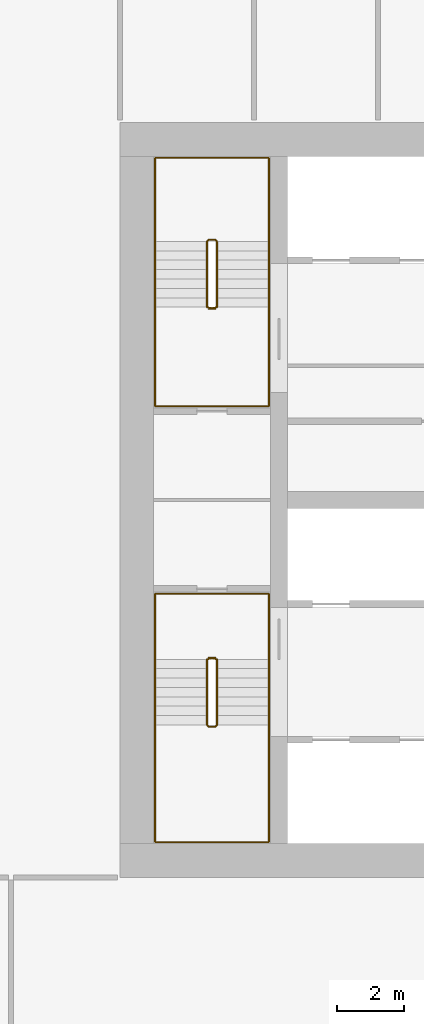
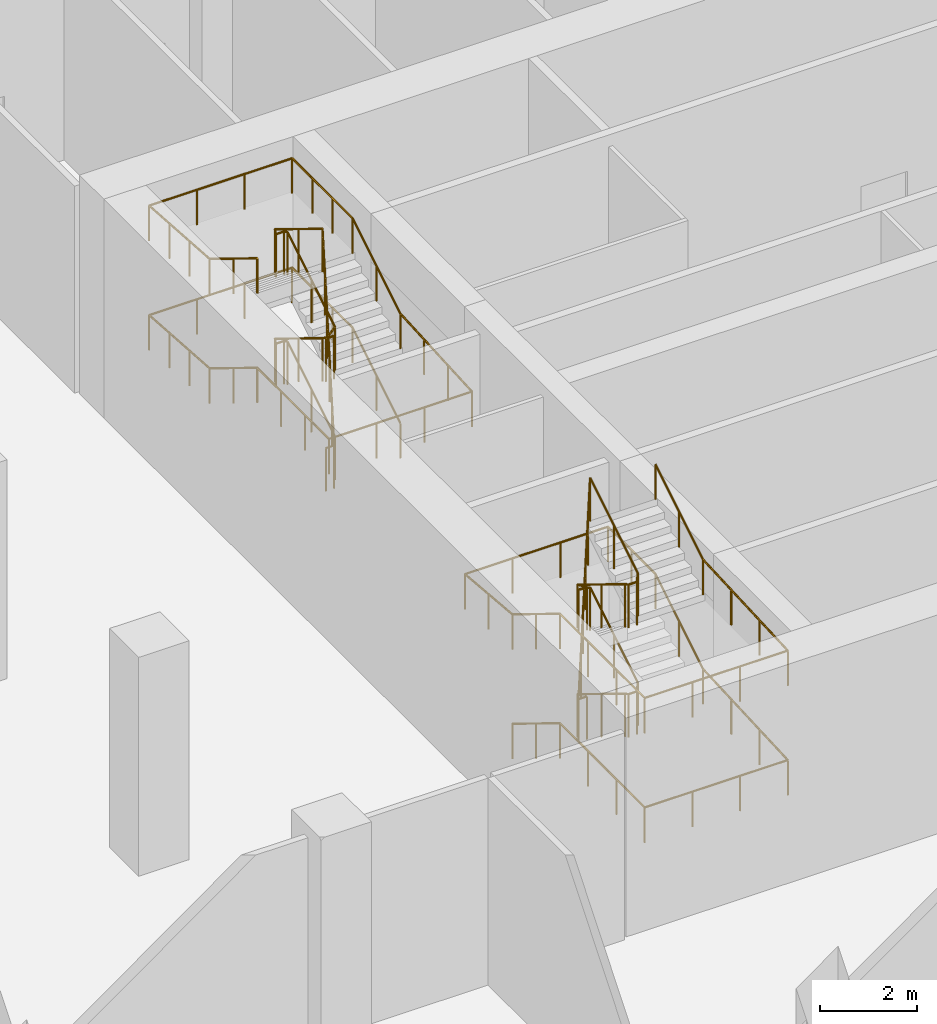
# One storey, part 20 of 25: 4 railings.
"""IFC4 building model written with IfcOpenShell, lengths in metres."""

from ifc_helpers import new_model, si_unit, direction, frame, origin, origin_2d, place, context, subcontext, project, spatial, circle, extrude, material, type_object, element, save


model = new_model("IFC4")

# Units and contexts
model_context = context("Model", 3, precision=1e-05, world=origin(), true_north=direction((0.0, 1.0)))
body_context = subcontext(model_context, "Body", "Model", "MODEL_VIEW")
ifc_project = project(units=[si_unit("LENGTHUNIT", "METRE"), si_unit("AREAUNIT", "SQUARE_METRE"), si_unit("VOLUMEUNIT", "CUBIC_METRE"), si_unit("PLANEANGLEUNIT", "RADIAN"), si_unit("MASSUNIT", "GRAM", prefix="KILO")], contexts=[model_context])

# Site, building, storey
site_placement = place(None, origin())
site = spatial("IfcSite", under=ifc_project, at=site_placement, CompositionType="ELEMENT")
building_placement = place(site_placement, origin())
building = spatial("IfcBuilding", under=site, at=building_placement, Name="Tamorin Gate", CompositionType="ELEMENT")
storey_placement = place(building_placement, frame((0.0, 0.0, 23.5)))
storey = spatial("IfcBuildingStorey", under=building, at=storey_placement, Name="L04", CompositionType="ELEMENT", Elevation=23.5)

# Railings
ifc_material_1 = material(Name="Painted steel balustrade", Category="steel")
railing_type_1 = type_object("IfcRailingType", Name="Stair guard 1100", PredefinedType="GUARDRAIL", material=ifc_material_1)
railing_1_placement = place(storey_placement, frame((32.60009765625, 66.5, 0.171875)))
element("IfcRailing", 1, at=railing_1_placement, inside=storey, type_object=railing_type_1, Name="L04 ST1 stair guard 1", PredefinedType="GUARDRAIL", context=body_context, shape_type="SweptSolid", body=[
    extrude(circle(Radius=0.02392578125, at=origin_2d()), frame((0.0, 0.0, 1.076171875), z_axis=(0.0, -0.852240978134, 0.523149419562), x_axis=(1.0, 0.0, 0.0)), (0.0, 0.0, 1.0), 2.2998046875),
    extrude(circle(Radius=0.02392578125, at=origin_2d()), frame((0.0, -1.9599609375, 2.279296875), z_axis=(0.705375805398, -0.708833529934, 0.0), x_axis=(0.708833529934, 0.705375805398, 0.0)), (0.0, 0.0, 1.0), 0.070556640625),
    extrude(circle(Radius=0.02392578125, at=origin_2d()), frame((0.0498046875, -2.010009765625, 2.279296875), z_axis=(1.0, 0.0, 0.0), x_axis=(0.0, 1.0, 0.0)), (0.0, 0.0, 1.0), 0.2001953125),
    extrude(circle(Radius=0.02392578125, at=origin_2d()), frame((0.25, -2.010009765625, 2.279296875), z_axis=(0.268036860282, 0.26935076646, 0.924989949209), x_axis=(-0.708833529934, 0.705375805398, 0.0)), (0.0, 0.0, 1.0), 0.185791015625),
    extrude(circle(Radius=0.02392578125, at=origin_2d()), frame((0.2998046875, -1.9599609375, 2.451171875), z_axis=(0.0, 0.852240978134, 0.523149419562), x_axis=(-1.0, 0.0, 0.0)), (0.0, 0.0, 1.0), 2.2998046875),
    extrude(circle(Radius=0.02392578125, at=origin_2d()), frame((0.2998046875, 0.0, 3.654296875), z_axis=(-0.98054382908, 0.196300278283, 0.0), x_axis=(-0.196300278283, -0.98054382908, 0.0)), (0.0, 0.0, 1.0), 0.2548828125),
    extrude(circle(Radius=0.02392578125, at=origin_2d()), frame((0.0498046875, 0.050048828125, 3.654296875), z_axis=(1.0, 0.0, 0.0), x_axis=(0.0, 1.0, 0.0)), (0.0, 0.0, 1.0), 0.2001953125),
    extrude(circle(Radius=0.02392578125, at=origin_2d()), frame((0.25, 0.050048828125, 3.654296875), z_axis=(-0.81305262559, -0.162769324459, 0.558973680093), x_axis=(0.196300278283, -0.98054382908, 0.0)), (0.0, 0.0, 1.0), 0.307373046875),
    extrude(circle(Radius=0.02392578125, at=origin_2d()), frame((0.0, 0.0, 3.826171875), z_axis=(0.0, -0.852240978134, 0.523149419562), x_axis=(1.0, 0.0, 0.0)), (0.0, 0.0, 1.0), 2.2998046875),
    extrude(circle(Radius=0.02392578125, at=origin_2d()), frame((0.0, -1.9599609375, 5.029296875), z_axis=(0.705375805398, -0.708833529934, 0.0), x_axis=(0.708833529934, 0.705375805398, 0.0)), (0.0, 0.0, 1.0), 0.070556640625),
    extrude(circle(Radius=0.02392578125, at=origin_2d()), frame((0.0498046875, -2.010009765625, 5.029296875), z_axis=(1.0, 0.0, 0.0), x_axis=(0.0, 1.0, 0.0)), (0.0, 0.0, 1.0), 0.2001953125),
    extrude(circle(Radius=0.02392578125, at=origin_2d()), frame((0.25, -2.010009765625, 5.029296875), z_axis=(0.268036860282, 0.26935076646, 0.924989949209), x_axis=(-0.708833529934, 0.705375805398, 0.0)), (0.0, 0.0, 1.0), 0.185791015625),
    extrude(circle(Radius=0.02392578125, at=origin_2d()), frame((0.2998046875, -1.9599609375, 5.201171875), z_axis=(0.0, 0.852240978134, 0.523149419562), x_axis=(-1.0, 0.0, 0.0)), (0.0, 0.0, 1.0), 2.2998046875),
    extrude(circle(Radius=0.02392578125, at=origin_2d()), frame((0.2998046875, 0.0, 6.404296875), z_axis=(-0.045405784895, 0.009090025296, -0.998927267692), x_axis=(-0.196300278283, -0.98054382908, 0.0)), (0.0, 0.0, 1.0), 5.505859375),
    extrude(circle(Radius=0.02392578125, at=origin_2d()), frame((0.0498046875, 0.050048828125, 0.904296875), z_axis=(1.0, 0.0, 0.0), x_axis=(0.0, 1.0, 0.0)), (0.0, 0.0, 1.0), 0.2001953125),
    extrude(circle(Radius=0.02099609375, at=origin_2d()), origin(), (0.0, 0.0, 1.0), 1.052001953125),
    extrude(circle(Radius=0.02099609375, at=origin_2d()), frame((0.0, -0.97998046875, 0.6015625)), (0.0, 0.0, 1.0), 1.052001953125),
    extrude(circle(Radius=0.02099609375, at=origin_2d()), frame((0.0, -1.9599609375, 1.203125)), (0.0, 0.0, 1.0), 1.052001953125),
    extrude(circle(Radius=0.02099609375, at=origin_2d()), frame((0.0498046875, -2.010009765625, 1.203125)), (0.0, 0.0, 1.0), 1.052001953125),
    extrude(circle(Radius=0.02099609375, at=origin_2d()), frame((0.25, -2.010009765625, 1.203125)), (0.0, 0.0, 1.0), 1.052001953125),
    extrude(circle(Radius=0.02099609375, at=origin_2d()), frame((0.2998046875, -1.9599609375, 1.375)), (0.0, 0.0, 1.0), 1.052001953125),
    extrude(circle(Radius=0.02099609375, at=origin_2d()), frame((0.2998046875, -0.97998046875, 1.9765625)), (0.0, 0.0, 1.0), 1.052001953125),
    extrude(circle(Radius=0.02099609375, at=origin_2d()), frame((0.2998046875, 0.0, 2.578125)), (0.0, 0.0, 1.0), 1.052001953125),
    extrude(circle(Radius=0.02099609375, at=origin_2d()), frame((0.0498046875, 0.050048828125, 2.578125)), (0.0, 0.0, 1.0), 1.052001953125),
    extrude(circle(Radius=0.02099609375, at=origin_2d()), frame((0.25, 0.050048828125, 2.578125)), (0.0, 0.0, 1.0), 1.052001953125),
    extrude(circle(Radius=0.02099609375, at=origin_2d()), frame((0.0, 0.0, 2.75)), (0.0, 0.0, 1.0), 1.052001953125),
    extrude(circle(Radius=0.02099609375, at=origin_2d()), frame((0.0, -0.97998046875, 3.3515625)), (0.0, 0.0, 1.0), 1.052001953125),
    extrude(circle(Radius=0.02099609375, at=origin_2d()), frame((0.0, -1.9599609375, 3.953125)), (0.0, 0.0, 1.0), 1.052001953125),
    extrude(circle(Radius=0.02099609375, at=origin_2d()), frame((0.0498046875, -2.010009765625, 3.953125)), (0.0, 0.0, 1.0), 1.052001953125),
    extrude(circle(Radius=0.02099609375, at=origin_2d()), frame((0.25, -2.010009765625, 3.953125)), (0.0, 0.0, 1.0), 1.052001953125),
    extrude(circle(Radius=0.02099609375, at=origin_2d()), frame((0.2998046875, -1.9599609375, 4.125)), (0.0, 0.0, 1.0), 1.052001953125),
    extrude(circle(Radius=0.02099609375, at=origin_2d()), frame((0.2998046875, -0.97998046875, 4.7265625)), (0.0, 0.0, 1.0), 1.052001953125),
    extrude(circle(Radius=0.02099609375, at=origin_2d()), frame((0.2998046875, 0.0, 5.328125)), (0.0, 0.0, 1.0), 1.052001953125),
    extrude(circle(Radius=0.02099609375, at=origin_2d()), frame((0.249755859375, 0.010009765625, 4.22802734375)), (0.0, 0.0, 1.0), 1.052001953125),
    extrude(circle(Radius=0.02099609375, at=origin_2d()), frame((0.19970703125, 0.02001953125, 3.128173828125)), (0.0, 0.0, 1.0), 1.052001953125),
    extrude(circle(Radius=0.02099609375, at=origin_2d()), frame((0.14990234375, 0.030029296875, 2.028076171875)), (0.0, 0.0, 1.0), 1.052001953125),
    extrude(circle(Radius=0.02099609375, at=origin_2d()), frame((0.099853515625, 0.0400390625, 0.92822265625)), (0.0, 0.0, 1.0), 1.052001953125),
    extrude(circle(Radius=0.02099609375, at=origin_2d()), frame((0.0498046875, 0.050048828125, -0.171875)), (0.0, 0.0, 1.0), 1.052001953125),
    extrude(circle(Radius=0.02099609375, at=origin_2d()), frame((0.25, 0.050048828125, -0.171875)), (0.0, 0.0, 1.0), 1.052001953125),
])
railing_2_placement = place(storey_placement, frame((32.89990234375, 77.0, 0.171875)))
element("IfcRailing", 2, at=railing_2_placement, inside=storey, type_object=railing_type_1, Name="L04 ST2 stair guard 1", PredefinedType="GUARDRAIL", context=body_context, shape_type="SweptSolid", body=[
    extrude(circle(Radius=0.02392578125, at=origin_2d()), frame((0.0, 0.0, 1.076171875), z_axis=(0.0, 0.852240978134, 0.523149419562), x_axis=(-1.0, 0.0, 0.0)), (0.0, 0.0, 1.0), 2.2998046875),
    extrude(circle(Radius=0.02392578125, at=origin_2d()), frame((0.0, 1.9599609375, 2.279296875), z_axis=(-0.705375805398, 0.708833529934, 0.0), x_axis=(-0.708833529934, -0.705375805398, 0.0)), (0.0, 0.0, 1.0), 0.070556640625),
    extrude(circle(Radius=0.02392578125, at=origin_2d()), frame((-0.0498046875, 2.010009765625, 2.279296875), z_axis=(-1.0, 0.0, 0.0), x_axis=(0.0, -1.0, 0.0)), (0.0, 0.0, 1.0), 0.2001953125),
    extrude(circle(Radius=0.02392578125, at=origin_2d()), frame((-0.25, 2.010009765625, 2.279296875), z_axis=(-0.268036860282, -0.26935076646, 0.924989949209), x_axis=(0.708833529934, -0.705375805398, 0.0)), (0.0, 0.0, 1.0), 0.185791015625),
    extrude(circle(Radius=0.02392578125, at=origin_2d()), frame((-0.2998046875, 1.9599609375, 2.451171875), z_axis=(0.0, -0.852240978134, 0.523149419562), x_axis=(1.0, 0.0, 0.0)), (0.0, 0.0, 1.0), 2.2998046875),
    extrude(circle(Radius=0.02392578125, at=origin_2d()), frame((-0.2998046875, 0.0, 3.654296875), z_axis=(0.98054382908, -0.196300278283, 0.0), x_axis=(0.196300278283, 0.98054382908, 0.0)), (0.0, 0.0, 1.0), 0.2548828125),
    extrude(circle(Radius=0.02392578125, at=origin_2d()), frame((-0.0498046875, -0.050048828125, 3.654296875), z_axis=(-1.0, 0.0, 0.0), x_axis=(0.0, -1.0, 0.0)), (0.0, 0.0, 1.0), 0.2001953125),
    extrude(circle(Radius=0.02392578125, at=origin_2d()), frame((-0.25, -0.050048828125, 3.654296875), z_axis=(0.81305262559, 0.162769324459, 0.558973680093), x_axis=(-0.196300278283, 0.98054382908, 0.0)), (0.0, 0.0, 1.0), 0.307373046875),
    extrude(circle(Radius=0.02392578125, at=origin_2d()), frame((0.0, 0.0, 3.826171875), z_axis=(0.0, 0.852240978134, 0.523149419562), x_axis=(-1.0, 0.0, 0.0)), (0.0, 0.0, 1.0), 2.2998046875),
    extrude(circle(Radius=0.02392578125, at=origin_2d()), frame((0.0, 1.9599609375, 5.029296875), z_axis=(-0.705375805398, 0.708833529934, 0.0), x_axis=(-0.708833529934, -0.705375805398, 0.0)), (0.0, 0.0, 1.0), 0.070556640625),
    extrude(circle(Radius=0.02392578125, at=origin_2d()), frame((-0.0498046875, 2.010009765625, 5.029296875), z_axis=(-1.0, 0.0, 0.0), x_axis=(0.0, -1.0, 0.0)), (0.0, 0.0, 1.0), 0.2001953125),
    extrude(circle(Radius=0.02392578125, at=origin_2d()), frame((-0.25, 2.010009765625, 5.029296875), z_axis=(-0.268036860282, -0.26935076646, 0.924989949209), x_axis=(0.708833529934, -0.705375805398, 0.0)), (0.0, 0.0, 1.0), 0.185791015625),
    extrude(circle(Radius=0.02392578125, at=origin_2d()), frame((-0.2998046875, 1.9599609375, 5.201171875), z_axis=(0.0, -0.852240978134, 0.523149419562), x_axis=(1.0, 0.0, 0.0)), (0.0, 0.0, 1.0), 2.2998046875),
    extrude(circle(Radius=0.02392578125, at=origin_2d()), frame((-0.2998046875, 0.0, 6.404296875), z_axis=(0.045405784895, -0.009090025296, -0.998927267692), x_axis=(0.196300278283, 0.98054382908, 0.0)), (0.0, 0.0, 1.0), 5.505859375),
    extrude(circle(Radius=0.02392578125, at=origin_2d()), frame((-0.0498046875, -0.050048828125, 0.904296875), z_axis=(-1.0, 0.0, 0.0), x_axis=(0.0, -1.0, 0.0)), (0.0, 0.0, 1.0), 0.2001953125),
    extrude(circle(Radius=0.02099609375, at=origin_2d()), origin(), (0.0, 0.0, 1.0), 1.052001953125),
    extrude(circle(Radius=0.02099609375, at=origin_2d()), frame((0.0, 0.97998046875, 0.6015625)), (0.0, 0.0, 1.0), 1.052001953125),
    extrude(circle(Radius=0.02099609375, at=origin_2d()), frame((0.0, 1.9599609375, 1.203125)), (0.0, 0.0, 1.0), 1.052001953125),
    extrude(circle(Radius=0.02099609375, at=origin_2d()), frame((-0.0498046875, 2.010009765625, 1.203125)), (0.0, 0.0, 1.0), 1.052001953125),
    extrude(circle(Radius=0.02099609375, at=origin_2d()), frame((-0.25, 2.010009765625, 1.203125)), (0.0, 0.0, 1.0), 1.052001953125),
    extrude(circle(Radius=0.02099609375, at=origin_2d()), frame((-0.2998046875, 1.9599609375, 1.375)), (0.0, 0.0, 1.0), 1.052001953125),
    extrude(circle(Radius=0.02099609375, at=origin_2d()), frame((-0.2998046875, 0.97998046875, 1.9765625)), (0.0, 0.0, 1.0), 1.052001953125),
    extrude(circle(Radius=0.02099609375, at=origin_2d()), frame((-0.2998046875, 0.0, 2.578125)), (0.0, 0.0, 1.0), 1.052001953125),
    extrude(circle(Radius=0.02099609375, at=origin_2d()), frame((-0.0498046875, -0.050048828125, 2.578125)), (0.0, 0.0, 1.0), 1.052001953125),
    extrude(circle(Radius=0.02099609375, at=origin_2d()), frame((-0.25, -0.050048828125, 2.578125)), (0.0, 0.0, 1.0), 1.052001953125),
    extrude(circle(Radius=0.02099609375, at=origin_2d()), frame((0.0, 0.0, 2.75)), (0.0, 0.0, 1.0), 1.052001953125),
    extrude(circle(Radius=0.02099609375, at=origin_2d()), frame((0.0, 0.97998046875, 3.3515625)), (0.0, 0.0, 1.0), 1.052001953125),
    extrude(circle(Radius=0.02099609375, at=origin_2d()), frame((0.0, 1.9599609375, 3.953125)), (0.0, 0.0, 1.0), 1.052001953125),
    extrude(circle(Radius=0.02099609375, at=origin_2d()), frame((-0.0498046875, 2.010009765625, 3.953125)), (0.0, 0.0, 1.0), 1.052001953125),
    extrude(circle(Radius=0.02099609375, at=origin_2d()), frame((-0.25, 2.010009765625, 3.953125)), (0.0, 0.0, 1.0), 1.052001953125),
    extrude(circle(Radius=0.02099609375, at=origin_2d()), frame((-0.2998046875, 1.9599609375, 4.125)), (0.0, 0.0, 1.0), 1.052001953125),
    extrude(circle(Radius=0.02099609375, at=origin_2d()), frame((-0.2998046875, 0.97998046875, 4.7265625)), (0.0, 0.0, 1.0), 1.052001953125),
    extrude(circle(Radius=0.02099609375, at=origin_2d()), frame((-0.2998046875, 0.0, 5.328125)), (0.0, 0.0, 1.0), 1.052001953125),
    extrude(circle(Radius=0.02099609375, at=origin_2d()), frame((-0.249755859375, -0.010009765625, 4.22802734375)), (0.0, 0.0, 1.0), 1.052001953125),
    extrude(circle(Radius=0.02099609375, at=origin_2d()), frame((-0.19970703125, -0.02001953125, 3.128173828125)), (0.0, 0.0, 1.0), 1.052001953125),
    extrude(circle(Radius=0.02099609375, at=origin_2d()), frame((-0.14990234375, -0.030029296875, 2.028076171875)), (0.0, 0.0, 1.0), 1.052001953125),
    extrude(circle(Radius=0.02099609375, at=origin_2d()), frame((-0.099853515625, -0.0400390625, 0.92822265625)), (0.0, 0.0, 1.0), 1.052001953125),
    extrude(circle(Radius=0.02099609375, at=origin_2d()), frame((-0.0498046875, -0.050048828125, -0.171875)), (0.0, 0.0, 1.0), 1.052001953125),
    extrude(circle(Radius=0.02099609375, at=origin_2d()), frame((-0.25, -0.050048828125, -0.171875)), (0.0, 0.0, 1.0), 1.052001953125),
])
ifc_material_2 = material(Name="Painted steel handrail", Category="steel")
railing_type_2 = type_object("IfcRailingType", Name="Stair handrail 900", PredefinedType="HANDRAIL", material=ifc_material_2)
railing_3_placement = place(storey_placement, frame((31.050048828125, 66.5, 0.171875)))
element("IfcRailing", 3, at=railing_3_placement, inside=storey, type_object=railing_type_2, Name="L04 ST1 stair handrail 1", PredefinedType="HANDRAIL", context=body_context, shape_type="SweptSolid", body=[
    extrude(circle(Radius=0.02392578125, at=origin_2d()), frame((0.0, 0.0, 0.8759765625), z_axis=(0.0, -0.852240978134, 0.523149419562), x_axis=(1.0, 0.0, 0.0)), (0.0, 0.0, 1.0), 2.2998046875),
    extrude(circle(Radius=0.02392578125, at=origin_2d()), frame((0.0, -1.9599609375, 2.0791015625), z_axis=(0.0, -1.0, 0.0), x_axis=(1.0, 0.0, 0.0)), (0.0, 0.0, 1.0), 3.489990234375),
    extrude(circle(Radius=0.02392578125, at=origin_2d()), frame((0.0, -5.449951171875, 2.0791015625), z_axis=(1.0, 0.0, 0.0), x_axis=(0.0, 1.0, 0.0)), (0.0, 0.0, 1.0), 3.39990234375),
    extrude(circle(Radius=0.02392578125, at=origin_2d()), frame((3.39990234375, -5.449951171875, 2.0791015625), z_axis=(0.0, 0.998789519247, 0.049188375065), x_axis=(-1.0, 0.0, 0.0)), (0.0, 0.0, 1.0), 3.494140625),
    extrude(circle(Radius=0.02392578125, at=origin_2d()), frame((3.39990234375, -1.9599609375, 2.2509765625), z_axis=(0.0, 0.852240978134, 0.523149419562), x_axis=(-1.0, 0.0, 0.0)), (0.0, 0.0, 1.0), 2.2998046875),
    extrude(circle(Radius=0.02392578125, at=origin_2d()), frame((3.39990234375, 0.0, 3.4541015625), z_axis=(0.0, 1.0, 0.0), x_axis=(-1.0, 0.0, 0.0)), (0.0, 0.0, 1.0), 1.949951171875),
    extrude(circle(Radius=0.02392578125, at=origin_2d()), frame((3.39990234375, 1.949951171875, 3.4541015625), z_axis=(-1.0, 0.0, 0.0), x_axis=(0.0, -1.0, 0.0)), (0.0, 0.0, 1.0), 3.39990234375),
    extrude(circle(Radius=0.02392578125, at=origin_2d()), frame((0.0, 1.949951171875, 3.4541015625), z_axis=(0.0, -0.996137875047, 0.087802812575), x_axis=(1.0, 0.0, 0.0)), (0.0, 0.0, 1.0), 1.95751953125),
    extrude(circle(Radius=0.02392578125, at=origin_2d()), frame((0.0, 0.0, 3.6259765625), z_axis=(0.0, -0.852240978134, 0.523149419562), x_axis=(1.0, 0.0, 0.0)), (0.0, 0.0, 1.0), 2.2998046875),
    extrude(circle(Radius=0.02392578125, at=origin_2d()), frame((0.0, -1.9599609375, 4.8291015625), z_axis=(0.0, -1.0, 0.0), x_axis=(1.0, 0.0, 0.0)), (0.0, 0.0, 1.0), 3.489990234375),
    extrude(circle(Radius=0.02392578125, at=origin_2d()), frame((0.0, -5.449951171875, 4.8291015625), z_axis=(1.0, 0.0, 0.0), x_axis=(0.0, 1.0, 0.0)), (0.0, 0.0, 1.0), 3.39990234375),
    extrude(circle(Radius=0.02392578125, at=origin_2d()), frame((3.39990234375, -5.449951171875, 4.8291015625), z_axis=(0.0, 0.998789519247, 0.049188375065), x_axis=(-1.0, 0.0, 0.0)), (0.0, 0.0, 1.0), 3.494140625),
    extrude(circle(Radius=0.02392578125, at=origin_2d()), frame((3.39990234375, -1.9599609375, 5.0009765625), z_axis=(0.0, 0.852240978134, 0.523149419562), x_axis=(-1.0, 0.0, 0.0)), (0.0, 0.0, 1.0), 2.2998046875),
    extrude(circle(Radius=0.02099609375, at=origin_2d()), origin(), (0.0, 0.0, 1.0), 0.851806640625),
    extrude(circle(Radius=0.02099609375, at=origin_2d()), frame((0.0, -0.97998046875, 0.6015625)), (0.0, 0.0, 1.0), 0.851806640625),
    extrude(circle(Radius=0.02099609375, at=origin_2d()), frame((0.0, -1.9599609375, 1.203125)), (0.0, 0.0, 1.0), 0.851806640625),
    extrude(circle(Radius=0.02099609375, at=origin_2d()), frame((0.0, -3.123291015625, 1.203125)), (0.0, 0.0, 1.0), 0.851806640625),
    extrude(circle(Radius=0.02099609375, at=origin_2d()), frame((0.0, -4.28662109375, 1.203125)), (0.0, 0.0, 1.0), 0.851806640625),
    extrude(circle(Radius=0.02099609375, at=origin_2d()), frame((0.0, -5.449951171875, 1.203125)), (0.0, 0.0, 1.0), 0.851806640625),
    extrude(circle(Radius=0.02099609375, at=origin_2d()), frame((1.13330078125, -5.449951171875, 1.203125)), (0.0, 0.0, 1.0), 0.851806640625),
    extrude(circle(Radius=0.02099609375, at=origin_2d()), frame((2.2666015625, -5.449951171875, 1.203125)), (0.0, 0.0, 1.0), 0.851806640625),
    extrude(circle(Radius=0.02099609375, at=origin_2d()), frame((3.39990234375, -5.449951171875, 1.203125)), (0.0, 0.0, 1.0), 0.851806640625),
    extrude(circle(Radius=0.02099609375, at=origin_2d()), frame((3.39990234375, -4.28662109375, 1.260498046875)), (0.0, 0.0, 1.0), 0.851806640625),
    extrude(circle(Radius=0.02099609375, at=origin_2d()), frame((3.39990234375, -3.123291015625, 1.317626953125)), (0.0, 0.0, 1.0), 0.851806640625),
    extrude(circle(Radius=0.02099609375, at=origin_2d()), frame((3.39990234375, -1.9599609375, 1.375)), (0.0, 0.0, 1.0), 0.851806640625),
    extrude(circle(Radius=0.02099609375, at=origin_2d()), frame((3.39990234375, -0.97998046875, 1.9765625)), (0.0, 0.0, 1.0), 0.851806640625),
    extrude(circle(Radius=0.02099609375, at=origin_2d()), frame((3.39990234375, 0.0, 2.578125)), (0.0, 0.0, 1.0), 0.851806640625),
    extrude(circle(Radius=0.02099609375, at=origin_2d()), frame((3.39990234375, 0.97509765625, 2.578125)), (0.0, 0.0, 1.0), 0.851806640625),
    extrude(circle(Radius=0.02099609375, at=origin_2d()), frame((3.39990234375, 1.949951171875, 2.578125)), (0.0, 0.0, 1.0), 0.851806640625),
    extrude(circle(Radius=0.02099609375, at=origin_2d()), frame((2.2666015625, 1.949951171875, 2.578125)), (0.0, 0.0, 1.0), 0.851806640625),
    extrude(circle(Radius=0.02099609375, at=origin_2d()), frame((1.13330078125, 1.949951171875, 2.578125)), (0.0, 0.0, 1.0), 0.851806640625),
    extrude(circle(Radius=0.02099609375, at=origin_2d()), frame((0.0, 1.949951171875, 2.578125)), (0.0, 0.0, 1.0), 0.851806640625),
    extrude(circle(Radius=0.02099609375, at=origin_2d()), frame((0.0, 0.97509765625, 2.6640625)), (0.0, 0.0, 1.0), 0.851806640625),
    extrude(circle(Radius=0.02099609375, at=origin_2d()), frame((0.0, 0.0, 2.75)), (0.0, 0.0, 1.0), 0.851806640625),
    extrude(circle(Radius=0.02099609375, at=origin_2d()), frame((0.0, -0.97998046875, 3.3515625)), (0.0, 0.0, 1.0), 0.851806640625),
    extrude(circle(Radius=0.02099609375, at=origin_2d()), frame((0.0, -1.9599609375, 3.953125)), (0.0, 0.0, 1.0), 0.851806640625),
    extrude(circle(Radius=0.02099609375, at=origin_2d()), frame((0.0, -3.123291015625, 3.953125)), (0.0, 0.0, 1.0), 0.851806640625),
    extrude(circle(Radius=0.02099609375, at=origin_2d()), frame((0.0, -4.28662109375, 3.953125)), (0.0, 0.0, 1.0), 0.851806640625),
    extrude(circle(Radius=0.02099609375, at=origin_2d()), frame((0.0, -5.449951171875, 3.953125)), (0.0, 0.0, 1.0), 0.851806640625),
    extrude(circle(Radius=0.02099609375, at=origin_2d()), frame((1.13330078125, -5.449951171875, 3.953125)), (0.0, 0.0, 1.0), 0.851806640625),
    extrude(circle(Radius=0.02099609375, at=origin_2d()), frame((2.2666015625, -5.449951171875, 3.953125)), (0.0, 0.0, 1.0), 0.851806640625),
    extrude(circle(Radius=0.02099609375, at=origin_2d()), frame((3.39990234375, -5.449951171875, 3.953125)), (0.0, 0.0, 1.0), 0.851806640625),
    extrude(circle(Radius=0.02099609375, at=origin_2d()), frame((3.39990234375, -4.28662109375, 4.010498046875)), (0.0, 0.0, 1.0), 0.851806640625),
    extrude(circle(Radius=0.02099609375, at=origin_2d()), frame((3.39990234375, -3.123291015625, 4.067626953125)), (0.0, 0.0, 1.0), 0.851806640625),
    extrude(circle(Radius=0.02099609375, at=origin_2d()), frame((3.39990234375, -1.9599609375, 4.125)), (0.0, 0.0, 1.0), 0.851806640625),
    extrude(circle(Radius=0.02099609375, at=origin_2d()), frame((3.39990234375, -0.97998046875, 4.7265625)), (0.0, 0.0, 1.0), 0.851806640625),
    extrude(circle(Radius=0.02099609375, at=origin_2d()), frame((3.39990234375, 0.0, 5.328125)), (0.0, 0.0, 1.0), 0.851806640625),
])
railing_4_placement = place(storey_placement, frame((34.449951171875, 77.0, 0.171875)))
element("IfcRailing", 4, at=railing_4_placement, inside=storey, type_object=railing_type_2, Name="L04 ST2 stair handrail 1", PredefinedType="HANDRAIL", context=body_context, shape_type="SweptSolid", body=[
    extrude(circle(Radius=0.02392578125, at=origin_2d()), frame((0.0, 0.0, 0.8759765625), z_axis=(0.0, 0.852240978134, 0.523149419562), x_axis=(-1.0, 0.0, 0.0)), (0.0, 0.0, 1.0), 2.2998046875),
    extrude(circle(Radius=0.02392578125, at=origin_2d()), frame((0.0, 1.9599609375, 2.0791015625), z_axis=(0.0, 1.0, 0.0), x_axis=(-1.0, 0.0, 0.0)), (0.0, 0.0, 1.0), 2.489990234375),
    extrude(circle(Radius=0.02392578125, at=origin_2d()), frame((0.0, 4.449951171875, 2.0791015625), z_axis=(-1.0, 0.0, 0.0), x_axis=(0.0, -1.0, 0.0)), (0.0, 0.0, 1.0), 3.39990234375),
    extrude(circle(Radius=0.02392578125, at=origin_2d()), frame((-3.39990234375, 4.449951171875, 2.0791015625), z_axis=(0.0, -0.997626159281, 0.068862517515), x_axis=(1.0, 0.0, 0.0)), (0.0, 0.0, 1.0), 2.495849609375),
    extrude(circle(Radius=0.02392578125, at=origin_2d()), frame((-3.39990234375, 1.9599609375, 2.2509765625), z_axis=(0.0, -0.852240978134, 0.523149419562), x_axis=(1.0, 0.0, 0.0)), (0.0, 0.0, 1.0), 2.2998046875),
    extrude(circle(Radius=0.02392578125, at=origin_2d()), frame((-3.39990234375, 0.0, 3.4541015625), z_axis=(0.0, -1.0, 0.0), x_axis=(1.0, 0.0, 0.0)), (0.0, 0.0, 1.0), 2.949951171875),
    extrude(circle(Radius=0.02392578125, at=origin_2d()), frame((-3.39990234375, -2.949951171875, 3.4541015625), z_axis=(1.0, 0.0, 0.0), x_axis=(0.0, 1.0, 0.0)), (0.0, 0.0, 1.0), 3.39990234375),
    extrude(circle(Radius=0.02392578125, at=origin_2d()), frame((0.0, -2.949951171875, 3.4541015625), z_axis=(0.0, 0.99830698121, 0.058165034741), x_axis=(-1.0, 0.0, 0.0)), (0.0, 0.0, 1.0), 2.954833984375),
    extrude(circle(Radius=0.02392578125, at=origin_2d()), frame((0.0, 0.0, 3.6259765625), z_axis=(0.0, 0.852240978134, 0.523149419562), x_axis=(-1.0, 0.0, 0.0)), (0.0, 0.0, 1.0), 2.2998046875),
    extrude(circle(Radius=0.02392578125, at=origin_2d()), frame((0.0, 1.9599609375, 4.8291015625), z_axis=(0.0, 1.0, 0.0), x_axis=(-1.0, 0.0, 0.0)), (0.0, 0.0, 1.0), 2.489990234375),
    extrude(circle(Radius=0.02392578125, at=origin_2d()), frame((0.0, 4.449951171875, 4.8291015625), z_axis=(-1.0, 0.0, 0.0), x_axis=(0.0, -1.0, 0.0)), (0.0, 0.0, 1.0), 3.39990234375),
    extrude(circle(Radius=0.02392578125, at=origin_2d()), frame((-3.39990234375, 4.449951171875, 4.8291015625), z_axis=(0.0, -0.997626159281, 0.068862517515), x_axis=(1.0, 0.0, 0.0)), (0.0, 0.0, 1.0), 2.495849609375),
    extrude(circle(Radius=0.02392578125, at=origin_2d()), frame((-3.39990234375, 1.9599609375, 5.0009765625), z_axis=(0.0, -0.852240978134, 0.523149419562), x_axis=(1.0, 0.0, 0.0)), (0.0, 0.0, 1.0), 2.2998046875),
    extrude(circle(Radius=0.02099609375, at=origin_2d()), origin(), (0.0, 0.0, 1.0), 0.851806640625),
    extrude(circle(Radius=0.02099609375, at=origin_2d()), frame((0.0, 0.97998046875, 0.6015625)), (0.0, 0.0, 1.0), 0.851806640625),
    extrude(circle(Radius=0.02099609375, at=origin_2d()), frame((0.0, 1.9599609375, 1.203125)), (0.0, 0.0, 1.0), 0.851806640625),
    extrude(circle(Radius=0.02099609375, at=origin_2d()), frame((0.0, 2.7900390625, 1.203125)), (0.0, 0.0, 1.0), 0.851806640625),
    extrude(circle(Radius=0.02099609375, at=origin_2d()), frame((0.0, 3.619873046875, 1.203125)), (0.0, 0.0, 1.0), 0.851806640625),
    extrude(circle(Radius=0.02099609375, at=origin_2d()), frame((0.0, 4.449951171875, 1.203125)), (0.0, 0.0, 1.0), 0.851806640625),
    extrude(circle(Radius=0.02099609375, at=origin_2d()), frame((-1.13330078125, 4.449951171875, 1.203125)), (0.0, 0.0, 1.0), 0.851806640625),
    extrude(circle(Radius=0.02099609375, at=origin_2d()), frame((-2.2666015625, 4.449951171875, 1.203125)), (0.0, 0.0, 1.0), 0.851806640625),
    extrude(circle(Radius=0.02099609375, at=origin_2d()), frame((-3.39990234375, 4.449951171875, 1.203125)), (0.0, 0.0, 1.0), 0.851806640625),
    extrude(circle(Radius=0.02099609375, at=origin_2d()), frame((-3.39990234375, 3.619873046875, 1.260498046875)), (0.0, 0.0, 1.0), 0.851806640625),
    extrude(circle(Radius=0.02099609375, at=origin_2d()), frame((-3.39990234375, 2.7900390625, 1.317626953125)), (0.0, 0.0, 1.0), 0.851806640625),
    extrude(circle(Radius=0.02099609375, at=origin_2d()), frame((-3.39990234375, 1.9599609375, 1.375)), (0.0, 0.0, 1.0), 0.851806640625),
    extrude(circle(Radius=0.02099609375, at=origin_2d()), frame((-3.39990234375, 0.97998046875, 1.9765625)), (0.0, 0.0, 1.0), 0.851806640625),
    extrude(circle(Radius=0.02099609375, at=origin_2d()), frame((-3.39990234375, 0.0, 2.578125)), (0.0, 0.0, 1.0), 0.851806640625),
    extrude(circle(Radius=0.02099609375, at=origin_2d()), frame((-3.39990234375, -0.9833984375, 2.578125)), (0.0, 0.0, 1.0), 0.851806640625),
    extrude(circle(Radius=0.02099609375, at=origin_2d()), frame((-3.39990234375, -1.966552734375, 2.578125)), (0.0, 0.0, 1.0), 0.851806640625),
    extrude(circle(Radius=0.02099609375, at=origin_2d()), frame((-3.39990234375, -2.949951171875, 2.578125)), (0.0, 0.0, 1.0), 0.851806640625),
    extrude(circle(Radius=0.02099609375, at=origin_2d()), frame((-2.2666015625, -2.949951171875, 2.578125)), (0.0, 0.0, 1.0), 0.851806640625),
    extrude(circle(Radius=0.02099609375, at=origin_2d()), frame((-1.13330078125, -2.949951171875, 2.578125)), (0.0, 0.0, 1.0), 0.851806640625),
    extrude(circle(Radius=0.02099609375, at=origin_2d()), frame((0.0, -2.949951171875, 2.578125)), (0.0, 0.0, 1.0), 0.851806640625),
    extrude(circle(Radius=0.02099609375, at=origin_2d()), frame((0.0, -1.966552734375, 2.635498046875)), (0.0, 0.0, 1.0), 0.851806640625),
    extrude(circle(Radius=0.02099609375, at=origin_2d()), frame((0.0, -0.9833984375, 2.692626953125)), (0.0, 0.0, 1.0), 0.851806640625),
    extrude(circle(Radius=0.02099609375, at=origin_2d()), frame((0.0, 0.0, 2.75)), (0.0, 0.0, 1.0), 0.851806640625),
    extrude(circle(Radius=0.02099609375, at=origin_2d()), frame((0.0, 0.97998046875, 3.3515625)), (0.0, 0.0, 1.0), 0.851806640625),
    extrude(circle(Radius=0.02099609375, at=origin_2d()), frame((0.0, 1.9599609375, 3.953125)), (0.0, 0.0, 1.0), 0.851806640625),
    extrude(circle(Radius=0.02099609375, at=origin_2d()), frame((0.0, 2.7900390625, 3.953125)), (0.0, 0.0, 1.0), 0.851806640625),
    extrude(circle(Radius=0.02099609375, at=origin_2d()), frame((0.0, 3.619873046875, 3.953125)), (0.0, 0.0, 1.0), 0.851806640625),
    extrude(circle(Radius=0.02099609375, at=origin_2d()), frame((0.0, 4.449951171875, 3.953125)), (0.0, 0.0, 1.0), 0.851806640625),
    extrude(circle(Radius=0.02099609375, at=origin_2d()), frame((-1.13330078125, 4.449951171875, 3.953125)), (0.0, 0.0, 1.0), 0.851806640625),
    extrude(circle(Radius=0.02099609375, at=origin_2d()), frame((-2.2666015625, 4.449951171875, 3.953125)), (0.0, 0.0, 1.0), 0.851806640625),
    extrude(circle(Radius=0.02099609375, at=origin_2d()), frame((-3.39990234375, 4.449951171875, 3.953125)), (0.0, 0.0, 1.0), 0.851806640625),
    extrude(circle(Radius=0.02099609375, at=origin_2d()), frame((-3.39990234375, 3.619873046875, 4.010498046875)), (0.0, 0.0, 1.0), 0.851806640625),
    extrude(circle(Radius=0.02099609375, at=origin_2d()), frame((-3.39990234375, 2.7900390625, 4.067626953125)), (0.0, 0.0, 1.0), 0.851806640625),
    extrude(circle(Radius=0.02099609375, at=origin_2d()), frame((-3.39990234375, 1.9599609375, 4.125)), (0.0, 0.0, 1.0), 0.851806640625),
    extrude(circle(Radius=0.02099609375, at=origin_2d()), frame((-3.39990234375, 0.97998046875, 4.7265625)), (0.0, 0.0, 1.0), 0.851806640625),
    extrude(circle(Radius=0.02099609375, at=origin_2d()), frame((-3.39990234375, 0.0, 5.328125)), (0.0, 0.0, 1.0), 0.851806640625),
])

save(model, "model.ifc")
